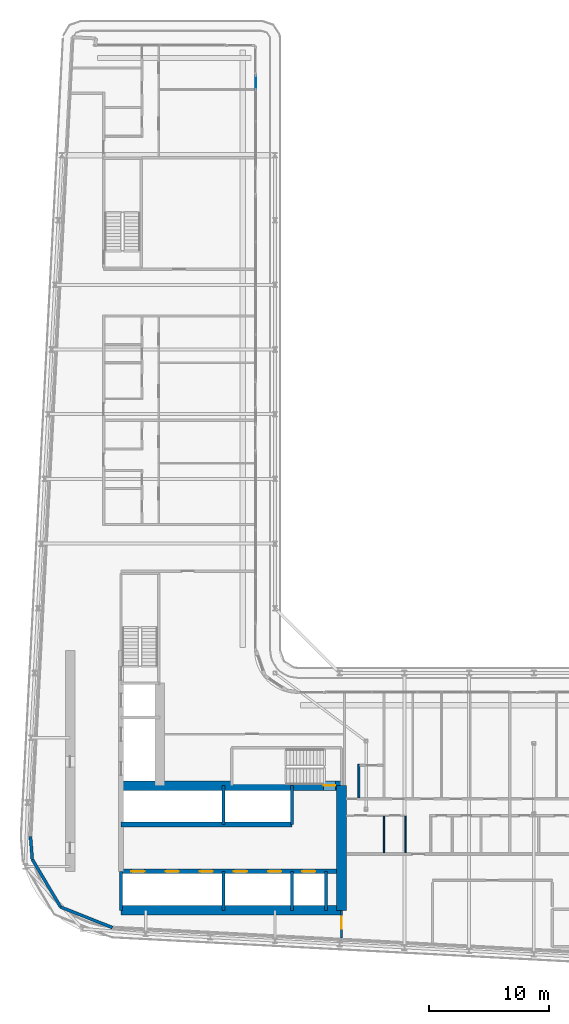
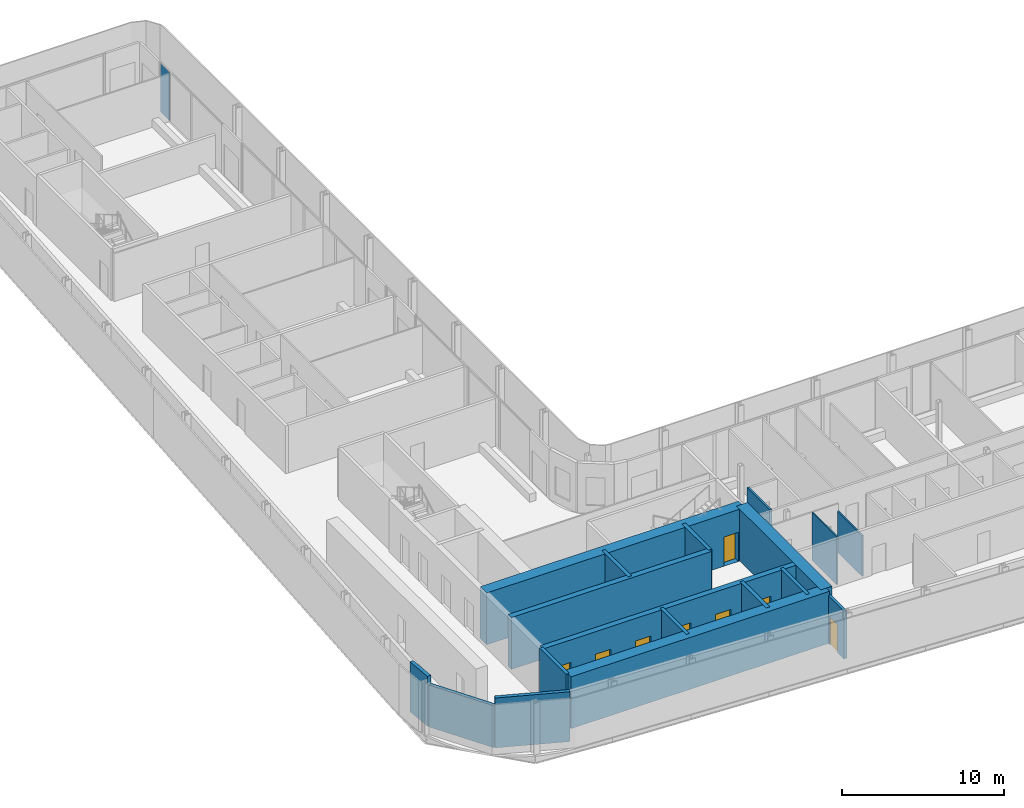
# One storey, part 15 of 30: 18 walls, 8 doors, 1 plate, 8 openings, 1 element without a shape of its own.
"""IFC4 building model written with IfcOpenShell, lengths in metres."""

from ifc_helpers import new_model, si_unit, direction, frame, frame_2d, origin, origin_2d, place, context, subcontext, project, spatial, rectangle, extrude, source, transform, mapped, material, layer, layer_set, type_object, element, fill, aggregate, save


model = new_model("IFC4")

# Units and contexts
model_context = context("Model", 3, precision=1e-05, world=origin(), true_north=direction((0.0, 1.0)))
body_context = subcontext(model_context, "Body", "Model", "MODEL_VIEW")
ifc_project = project(units=[si_unit("LENGTHUNIT", "METRE"), si_unit("AREAUNIT", "SQUARE_METRE"), si_unit("VOLUMEUNIT", "CUBIC_METRE"), si_unit("PLANEANGLEUNIT", "RADIAN"), si_unit("MASSUNIT", "GRAM", prefix="KILO")], contexts=[model_context])

# Site, building, storey
site_placement = place(None, origin())
site = spatial("IfcSite", under=ifc_project, at=site_placement, CompositionType="ELEMENT")
building_placement = place(site_placement, origin())
building = spatial("IfcBuilding", under=site, at=building_placement, Name="Kheshtan School and Residences Tower", CompositionType="ELEMENT")
storey_placement = place(building_placement, frame((0.0, 0.0, 195.5)))
storey = spatial("IfcBuildingStorey", under=building, at=storey_placement, Name="L46", CompositionType="ELEMENT", Elevation=195.5)

# Curtain wall, plate
ifc_material_1 = material(Name="Clear low-e glass in thermally broken aluminium frame", Category="aluminium")
ifc_layer_1 = layer(ifc_material_1, 0.199951171875)
ifc_layer_set_1 = layer_set([ifc_layer_1], Name="Curtain wall CW-L")
curtain_wall_type = type_object("IfcCurtainWallType", Name="Curtain wall CW-L", PredefinedType="NOTDEFINED", material=ifc_layer_set_1)
curtain_wall_placement = place(storey_placement, origin())
curtain_wall = element("IfcCurtainWall", 1, at=curtain_wall_placement, inside=storey, type_object=curtain_wall_type, Name="Curtain wall CWL8c", PredefinedType="NOTDEFINED")
ifc_layer_2 = layer(ifc_material_1, 0.031982421875)
ifc_layer_set_2 = layer_set([ifc_layer_2], Name="CW-L glass panel")
plate_type = type_object("IfcPlateType", Name="CW-L glass panel", PredefinedType="CURTAIN_PANEL", material=ifc_layer_set_2)
plate_placement = place(storey_placement, frame((46.0, 94.885009765625, 0.0), z_axis=(0.0, 0.0, 1.0), x_axis=(0.0, -1.0, 0.0)))
plate = element("IfcPlate", 2, at=plate_placement, type_object=plate_type, Name="CWL8c panel 1.1", PredefinedType="CURTAIN_PANEL", context=body_context, shape_type="SweptSolid", body=[
    extrude(rectangle(XDim=1.110107421875, YDim=0.031982421875, at=origin_2d()), origin(), (0.0, 0.0, 1.0), 3.6298828125),
])
aggregate(curtain_wall, [plate])

# Wall, openings, doors
ifc_material_2 = material(Name="Concrete C50/60", Category="concrete")
ifc_layer_3 = layer(ifc_material_2, 0.39990234375)
ifc_layer_set_3 = layer_set([ifc_layer_3], Name="Core wall 400 Concrete C50/60")
wall_type_1 = type_object("IfcWallType", Name="Core wall 400 Concrete C50/60", PredefinedType="SHEAR", material=ifc_layer_set_3)
wall_1_placement = place(storey_placement, frame((34.75, 29.050048828125, 0.0), z_axis=(0.0, 0.0, 1.0), x_axis=(1.0, 0.0, 0.0)))
wall_1 = element("IfcWall", 3, at=wall_1_placement, inside=storey, type_object=wall_type_1, Name="Core wall CW-HALL-S1", PredefinedType="SHEAR", context=body_context, shape_type="SweptSolid", body=[
    extrude(rectangle(XDim=18.39990234375, YDim=0.39990234375, at=frame_2d((9.199951171875, 0.0))), origin(), (0.0, 0.0, 1.0), 3.89990234375),
])
opening_1_placement = place(wall_1_placement, frame((0.875, 0.0, 0.0)))
opening_1 = element("IfcOpeningElement", 4, at=opening_1_placement, cuts=wall_1, Name="Opening LD", PredefinedType="OPENING", context=body_context, shape_type="SweptSolid", body=[
    extrude(rectangle(XDim=1.10009765625, YDim=2.199951171875, at=frame_2d((0.550048828125, 1.10009765625))), frame((0.0, 0.2099609375, 0.0), z_axis=(0.0, -1.0, 0.0), x_axis=(1.0, 0.0, 0.0)), (0.0, 0.0, 1.0), 0.419921875),
])
opening_2_placement = place(wall_1_placement, frame((3.72509765625, 0.0, 0.0)))
opening_2 = element("IfcOpeningElement", 5, at=opening_2_placement, cuts=wall_1, Name="Opening LD", PredefinedType="OPENING", context=body_context, shape_type="SweptSolid", body=[
    extrude(rectangle(XDim=1.10009765625, YDim=2.199951171875, at=frame_2d((0.550048828125, 1.10009765625))), frame((0.0, 0.2099609375, 0.0), z_axis=(0.0, -1.0, 0.0), x_axis=(1.0, 0.0, 0.0)), (0.0, 0.0, 1.0), 0.419921875),
])
opening_3_placement = place(wall_1_placement, frame((6.574951171875, 0.0, 0.0)))
opening_3 = element("IfcOpeningElement", 6, at=opening_3_placement, cuts=wall_1, Name="Opening LD", PredefinedType="OPENING", context=body_context, shape_type="SweptSolid", body=[
    extrude(rectangle(XDim=1.10009765625, YDim=2.199951171875, at=frame_2d((0.550048828125, 1.10009765625))), frame((0.0, 0.2099609375, 0.0), z_axis=(0.0, -1.0, 0.0), x_axis=(1.0, 0.0, 0.0)), (0.0, 0.0, 1.0), 0.419921875),
])
opening_4_placement = place(wall_1_placement, frame((9.425048828125, 0.0, 0.0)))
opening_4 = element("IfcOpeningElement", 7, at=opening_4_placement, cuts=wall_1, Name="Opening LD", PredefinedType="OPENING", context=body_context, shape_type="SweptSolid", body=[
    extrude(rectangle(XDim=1.10009765625, YDim=2.199951171875, at=frame_2d((0.550048828125, 1.10009765625))), frame((0.0, 0.2099609375, 0.0), z_axis=(0.0, -1.0, 0.0), x_axis=(1.0, 0.0, 0.0)), (0.0, 0.0, 1.0), 0.419921875),
])
opening_5_placement = place(wall_1_placement, frame((12.27490234375, 0.0, 0.0)))
opening_5 = element("IfcOpeningElement", 8, at=opening_5_placement, cuts=wall_1, Name="Opening LD", PredefinedType="OPENING", context=body_context, shape_type="SweptSolid", body=[
    extrude(rectangle(XDim=1.10009765625, YDim=2.199951171875, at=frame_2d((0.550048828125, 1.10009765625))), frame((0.0, 0.2099609375, 0.0), z_axis=(0.0, -1.0, 0.0), x_axis=(1.0, 0.0, 0.0)), (0.0, 0.0, 1.0), 0.419921875),
])
opening_6_placement = place(wall_1_placement, frame((15.125, 0.0, 0.0)))
opening_6 = element("IfcOpeningElement", 9, at=opening_6_placement, cuts=wall_1, Name="Opening LD", PredefinedType="OPENING", context=body_context, shape_type="SweptSolid", body=[
    extrude(rectangle(XDim=1.10009765625, YDim=2.199951171875, at=frame_2d((0.550048828125, 1.10009765625))), frame((0.0, 0.2099609375, 0.0), z_axis=(0.0, -1.0, 0.0), x_axis=(1.0, 0.0, 0.0)), (0.0, 0.0, 1.0), 0.419921875),
])
ifc_material_3 = material(Name="Stainless steel door leaves", Category="steel")
door_type_1 = type_object("IfcDoorType", Name="Lift landing door 1100", OperationType="SLIDING_TO_LEFT", PredefinedType="DOOR", material=ifc_material_3)
shared_shape_1 = source(origin(), body_context, "Body", "SweptSolid", [
    extrude(rectangle(XDim=1.10009765625, YDim=2.199951171875, at=frame_2d((0.550048828125, 1.10009765625))), frame((0.0, 0.02490234375, 0.0), z_axis=(0.0, -1.0, 0.0), x_axis=(1.0, 0.0, 0.0)), (0.0, 0.0, 1.0), 0.050048828125),
])
door_1_placement = place(opening_1_placement, origin())
door_1 = element("IfcDoor", 10, at=door_1_placement, inside=storey, type_object=door_type_1, Name="Lift P7 landing door", OperationType="SLIDING_TO_LEFT", OverallHeight=2.199951171875, OverallWidth=1.10009765625, PredefinedType="DOOR", context=body_context, shape_type="MappedRepresentation", body=[
    mapped(shared_shape_1, transform((0.0, 0.0, 0.0), x_axis=(1.0, 0.0, 0.0), y_axis=(0.0, 1.0, 0.0), z_axis=(0.0, 0.0, 1.0), scale=1.0)),
])
fill(opening_1, door_1)
door_2_placement = place(opening_2_placement, origin())
door_2 = element("IfcDoor", 11, at=door_2_placement, inside=storey, type_object=door_type_1, Name="Lift P8 landing door", OperationType="SLIDING_TO_LEFT", OverallHeight=2.199951171875, OverallWidth=1.10009765625, PredefinedType="DOOR", context=body_context, shape_type="MappedRepresentation", body=[
    mapped(shared_shape_1, transform((0.0, 0.0, 0.0), x_axis=(1.0, 0.0, 0.0), y_axis=(0.0, 1.0, 0.0), z_axis=(0.0, 0.0, 1.0), scale=1.0)),
])
fill(opening_2, door_2)
door_3_placement = place(opening_3_placement, origin())
door_3 = element("IfcDoor", 12, at=door_3_placement, inside=storey, type_object=door_type_1, Name="Lift P9 landing door", OperationType="SLIDING_TO_LEFT", OverallHeight=2.199951171875, OverallWidth=1.10009765625, PredefinedType="DOOR", context=body_context, shape_type="MappedRepresentation", body=[
    mapped(shared_shape_1, transform((0.0, 0.0, 0.0), x_axis=(1.0, 0.0, 0.0), y_axis=(0.0, 1.0, 0.0), z_axis=(0.0, 0.0, 1.0), scale=1.0)),
])
fill(opening_3, door_3)
door_4_placement = place(opening_4_placement, origin())
door_4 = element("IfcDoor", 13, at=door_4_placement, inside=storey, type_object=door_type_1, Name="Lift P10 landing door", OperationType="SLIDING_TO_LEFT", OverallHeight=2.199951171875, OverallWidth=1.10009765625, PredefinedType="DOOR", context=body_context, shape_type="MappedRepresentation", body=[
    mapped(shared_shape_1, transform((0.0, 0.0, 0.0), x_axis=(1.0, 0.0, 0.0), y_axis=(0.0, 1.0, 0.0), z_axis=(0.0, 0.0, 1.0), scale=1.0)),
])
fill(opening_4, door_4)
door_5_placement = place(opening_5_placement, origin())
door_5 = element("IfcDoor", 14, at=door_5_placement, inside=storey, type_object=door_type_1, Name="Lift P11 landing door", OperationType="SLIDING_TO_LEFT", OverallHeight=2.199951171875, OverallWidth=1.10009765625, PredefinedType="DOOR", context=body_context, shape_type="MappedRepresentation", body=[
    mapped(shared_shape_1, transform((0.0, 0.0, 0.0), x_axis=(1.0, 0.0, 0.0), y_axis=(0.0, 1.0, 0.0), z_axis=(0.0, 0.0, 1.0), scale=1.0)),
])
fill(opening_5, door_5)
door_6_placement = place(opening_6_placement, origin())
door_6 = element("IfcDoor", 15, at=door_6_placement, inside=storey, type_object=door_type_1, Name="Lift FFL2 landing door", OperationType="SLIDING_TO_LEFT", OverallHeight=2.199951171875, OverallWidth=1.10009765625, PredefinedType="DOOR", context=body_context, shape_type="MappedRepresentation", body=[
    mapped(shared_shape_1, transform((0.0, 0.0, 0.0), x_axis=(1.0, 0.0, 0.0), y_axis=(0.0, 1.0, 0.0), z_axis=(0.0, 0.0, 1.0), scale=1.0)),
])
fill(opening_6, door_6)

# Walls
wall_2_placement = place(storey_placement, frame((34.75, 32.949951171875, 0.0), z_axis=(0.0, 0.0, 1.0), x_axis=(1.0, 0.0, 0.0)))
element("IfcWall", 16, at=wall_2_placement, inside=storey, type_object=wall_type_1, Name="Core wall CW-HALL-S2", PredefinedType="SHEAR", context=body_context, shape_type="SweptSolid", body=[
    extrude(rectangle(XDim=14.25, YDim=0.39990234375, at=frame_2d((7.125, 0.0))), origin(), (0.0, 0.0, 1.0), 3.89990234375),
])
ifc_material_4 = material(Name="Concrete C70/85", Category="concrete")
ifc_layer_4 = layer(ifc_material_4, 0.800048828125)
ifc_layer_set_4 = layer_set([ifc_layer_4], Name="Core wall 800 Concrete C70/85")
wall_type_2 = type_object("IfcWallType", Name="Core wall 800 Concrete C70/85", PredefinedType="SHEAR", material=ifc_layer_set_4)
wall_3_placement = place(storey_placement, frame((34.75, 25.800048828125, 0.0), z_axis=(0.0, 0.0, 1.0), x_axis=(1.0, 0.0, 0.0)))
element("IfcWall", 17, at=wall_3_placement, inside=storey, type_object=wall_type_2, Name="Core wall CW-REAR-S", PredefinedType="SHEAR", context=body_context, shape_type="SweptSolid", body=[
    extrude(rectangle(XDim=18.39990234375, YDim=0.800048828125, at=frame_2d((9.199951171875, 0.0))), origin(), (0.0, 0.0, 1.0), 3.89990234375),
])

# Wall, opening, door
wall_4_placement = place(storey_placement, frame((34.75, 36.199951171875, 0.0), z_axis=(0.0, 0.0, 1.0), x_axis=(1.0, 0.0, 0.0)))
wall_4 = element("IfcWall", 18, at=wall_4_placement, inside=storey, type_object=wall_type_2, Name="Core wall CW-FRONT-S", PredefinedType="SHEAR", context=body_context, shape_type="SweptSolid", body=[
    extrude(rectangle(XDim=18.39990234375, YDim=0.800048828125, at=frame_2d((9.199951171875, 0.0))), origin(), (0.0, 0.0, 1.0), 3.89990234375),
])
opening_7_placement = place(wall_4_placement, frame((16.89990234375, 0.0, 0.0)))
opening_7 = element("IfcOpeningElement", 19, at=opening_7_placement, cuts=wall_4, Name="Opening ST1D", PredefinedType="OPENING", context=body_context, shape_type="SweptSolid", body=[
    extrude(rectangle(XDim=1.0, YDim=2.199951171875, at=frame_2d((0.5, 1.10009765625))), frame((0.0, 0.41015625, 0.0), z_axis=(0.0, -1.0, 0.0), x_axis=(1.0, 0.0, 0.0)), (0.0, 0.0, 1.0), 0.820068359375),
])
ifc_material_5 = material(Name="Steel door leaf, galvanised", Category="steel")
door_type_2 = type_object("IfcDoorType", Name="Stair door 1100 steel 90 min", OperationType="SINGLE_SWING_LEFT", PredefinedType="DOOR", material=ifc_material_5)
shared_shape_2 = source(origin(), body_context, "Body", "SweptSolid", [
    extrude(rectangle(XDim=1.0, YDim=2.199951171875, at=frame_2d((0.5, 1.10009765625))), frame((0.0, 0.02490234375, 0.0), z_axis=(0.0, -1.0, 0.0), x_axis=(1.0, 0.0, 0.0)), (0.0, 0.0, 1.0), 0.050048828125),
])
door_7_placement = place(opening_7_placement, origin())
door_7 = element("IfcDoor", 20, at=door_7_placement, inside=storey, type_object=door_type_2, Name="Stair ST1 door", OperationType="SINGLE_SWING_RIGHT", OverallHeight=2.199951171875, OverallWidth=1.0, PredefinedType="DOOR", context=body_context, shape_type="MappedRepresentation", body=[
    mapped(shared_shape_2, transform((0.0, 0.0, 0.0), x_axis=(1.0, 0.0, 0.0), y_axis=(0.0, 1.0, 0.0), z_axis=(0.0, 0.0, 1.0), scale=1.0)),
])
fill(opening_7, door_7)

# Wall
wall_5_placement = place(storey_placement, frame((53.14990234375, 25.800048828125, 0.0), z_axis=(0.0, 0.0, 1.0), x_axis=(0.0, 1.0, 0.0)))
element("IfcWall", 21, at=wall_5_placement, inside=storey, type_object=wall_type_2, Name="Core wall CW-EAST", PredefinedType="SHEAR", context=body_context, shape_type="SweptSolid", body=[
    extrude(rectangle(XDim=10.39990234375, YDim=0.800048828125, at=frame_2d((5.199951171875, 0.0))), origin(), (0.0, 0.0, 1.0), 3.89990234375),
])

# Wall, opening, door
ifc_material_6 = material(Name="Gypsum board on steel studs with fire boards", Category="steel")
ifc_layer_5 = layer(ifc_material_6, 0.199951171875)
ifc_layer_set_5 = layer_set([ifc_layer_5], Name="Corridor wall 200")
wall_type_3 = type_object("IfcWallType", Name="Corridor wall 200", PredefinedType="PARTITIONING", material=ifc_layer_set_5)
wall_6_placement = place(storey_placement, frame((53.14990234375, 23.47216796875, 0.0), z_axis=(0.0, 0.0, 1.0), x_axis=(0.0, 1.0, 0.0)))
wall_6 = element("IfcWall", 22, at=wall_6_placement, inside=storey, type_object=wall_type_3, Name="Partition L46-030", PredefinedType="PARTITIONING", context=body_context, shape_type="SweptSolid", body=[
    extrude(rectangle(XDim=2.327880859375, YDim=0.199951171875, at=frame_2d((1.1640625, 0.0))), origin(), (0.0, 0.0, 1.0), 3.60009765625),
])
opening_8_placement = place(wall_6_placement, frame((0.784912109375, 0.0, 0.0)))
opening_8 = element("IfcOpeningElement", 23, at=opening_8_placement, cuts=wall_6, Name="Opening D46-055", PredefinedType="OPENING", context=body_context, shape_type="SweptSolid", body=[
    extrude(rectangle(XDim=1.0, YDim=2.10009765625, at=frame_2d((0.5, 1.050048828125))), frame((0.0, 0.10986328125, 0.0), z_axis=(0.0, -1.0, 0.0), x_axis=(1.0, 0.0, 0.0)), (0.0, 0.0, 1.0), 0.219970703125),
])
ifc_material_7 = material(Name="Steel-framed fire-resisting door leaf", Category="steel")
door_type_3 = type_object("IfcDoorType", Name="Fire door FD60 1000 x 2100", OperationType="SINGLE_SWING_LEFT", PredefinedType="DOOR", material=ifc_material_7)
shared_shape_3 = source(origin(), body_context, "Body", "SweptSolid", [
    extrude(rectangle(XDim=1.0, YDim=2.10009765625, at=frame_2d((0.5, 1.050048828125))), frame((0.0, 0.02490234375, 0.0), z_axis=(0.0, -1.0, 0.0), x_axis=(1.0, 0.0, 0.0)), (0.0, 0.0, 1.0), 0.050048828125),
])
door_8_placement = place(opening_8_placement, origin())
door_8 = element("IfcDoor", 24, at=door_8_placement, inside=storey, type_object=door_type_3, Name="Door D46-055", OperationType="SINGLE_SWING_RIGHT", OverallHeight=2.10009765625, OverallWidth=1.0, PredefinedType="DOOR", context=body_context, shape_type="MappedRepresentation", body=[
    mapped(shared_shape_3, transform((0.0, 0.0, 0.0), x_axis=(1.0, 0.0, 0.0), y_axis=(0.0, 1.0, 0.0), z_axis=(0.0, 0.0, 1.0), scale=1.0)),
])
fill(opening_8, door_8)

# Walls
ifc_material_8 = material(Name="Concrete C40/50 with ceramic cladding and mineral wool insulation", Category="concrete")
ifc_layer_6 = layer(ifc_material_8, 0.25)
ifc_layer_set_6 = layer_set([ifc_layer_6], Name="External wall 250 ceramic clad")
wall_type_4 = type_object("IfcWallType", Name="External wall 250 ceramic clad", PredefinedType="SOLIDWALL", material=ifc_layer_set_6)
wall_7_placement = place(storey_placement, frame((34.0390625, 24.35302734375, 0.0), z_axis=(0.0, 0.0, 1.0), x_axis=(-0.929352825399, 0.369192803184, 0.0)))
element("IfcWall", 25, at=wall_7_placement, inside=storey, type_object=wall_type_4, Name="External wall L46 1", PredefinedType="SOLIDWALL", context=body_context, shape_type="SweptSolid", body=[
    extrude(rectangle(XDim=4.656005859375, YDim=0.25, at=frame_2d((2.328125, 0.0))), origin(), (0.0, 0.0, 1.0), 3.75),
])
wall_8_placement = place(storey_placement, frame((29.7119140625, 26.072021484375, 0.0), z_axis=(0.0, 0.0, 1.0), x_axis=(-0.511028049012, 0.859564036662, 0.0)))
element("IfcWall", 26, at=wall_8_placement, inside=storey, type_object=wall_type_4, Name="External wall L46 2", PredefinedType="SOLIDWALL", context=body_context, shape_type="SweptSolid", body=[
    extrude(rectangle(XDim=4.633544921875, YDim=0.25, at=frame_2d((2.31689453125, 0.0))), origin(), (0.0, 0.0, 1.0), 3.14697265625),
])
wall_9_placement = place(storey_placement, frame((27.343994140625, 30.054931640625, 0.0), z_axis=(0.0, 0.0, 1.0), x_axis=(-0.077571675317, 0.99698677784, 0.0)))
element("IfcWall", 27, at=wall_9_placement, inside=storey, type_object=wall_type_4, Name="External wall L46 3", PredefinedType="SOLIDWALL", context=body_context, shape_type="SweptSolid", body=[
    extrude(rectangle(XDim=1.919921875, YDim=0.25, at=frame_2d((0.9599609375, 0.0))), origin(), (0.0, 0.0, 1.0), 3.75),
])
ifc_material_9 = material(Name="Gypsum board on steel studs", Category="steel")
ifc_layer_7 = layer(ifc_material_9, 0.10009765625)
ifc_layer_set_7 = layer_set([ifc_layer_7], Name="Gypsum partition 100")
wall_type_5 = type_object("IfcWallType", Name="Gypsum partition 100", PredefinedType="PARTITIONING", material=ifc_layer_set_7)
wall_10_placement = place(storey_placement, frame((56.699951171875, 30.60009765625, 0.0), z_axis=(0.0, 0.0, 1.0), x_axis=(0.0, 1.0, 0.0)))
element("IfcWall", 28, at=wall_10_placement, inside=storey, type_object=wall_type_5, Name="Partition L46-037", PredefinedType="PARTITIONING", context=body_context, shape_type="SweptSolid", body=[
    extrude(rectangle(XDim=3.0498046875, YDim=0.10009765625, at=frame_2d((1.52490234375, 0.0))), origin(), (0.0, 0.0, 1.0), 3.60009765625),
])
wall_11_placement = place(storey_placement, frame((58.5, 30.60009765625, 0.0), z_axis=(0.0, 0.0, 1.0), x_axis=(0.0, 1.0, 0.0)))
element("IfcWall", 29, at=wall_11_placement, inside=storey, type_object=wall_type_5, Name="Partition L46-039", PredefinedType="PARTITIONING", context=body_context, shape_type="SweptSolid", body=[
    extrude(rectangle(XDim=3.0498046875, YDim=0.10009765625, at=frame_2d((1.52490234375, 0.0))), origin(), (0.0, 0.0, 1.0), 3.072021484375),
])
ifc_material_10 = material(Name="Fire-board shaft wall system")
ifc_layer_8 = layer(ifc_material_10, 0.25)
ifc_layer_set_8 = layer_set([ifc_layer_8], Name="Shaft lining wall 250")
wall_type_6 = type_object("IfcWallType", Name="Shaft lining wall 250", PredefinedType="PARTITIONING", material=ifc_layer_set_8)
for number, where, z_axis, x_axis, name in (
    (30, (34.75, 25.800048828125, 0.0), (0.0, 0.0, 1.0), (0.0, 1.0, 0.0), "Shaft lining wall"),
    (31, (43.300048828125, 25.800048828125, 0.0), (0.0, 0.0, 1.0), (0.0, 1.0, 0.0), "Shaft lining wall"),
    (32, (43.300048828125, 32.949951171875, 0.0), (0.0, 0.0, 1.0), (0.0, 1.0, 0.0), "Shaft lining wall"),
    (33, (49.0, 25.800048828125, 0.0), (0.0, 0.0, 1.0), (0.0, 1.0, 0.0), "Shaft lining wall"),
    (34, (49.0, 32.949951171875, 0.0), (0.0, 0.0, 1.0), (0.0, 1.0, 0.0), "Shaft lining wall"),
    (35, (51.85009765625, 25.800048828125, 0.0), (0.0, 0.0, 1.0), (0.0, 1.0, 0.0), "Shaft lining wall"),
):
    element("IfcWall", number, at=place(storey_placement, frame(where, z_axis=z_axis, x_axis=x_axis)), inside=storey, type_object=wall_type_6, Name=name, PredefinedType="PARTITIONING", context=body_context, shape_type="SweptSolid", body=[
        extrude(rectangle(XDim=3.25, YDim=0.25, at=frame_2d((1.625, 0.0))), origin(), (0.0, 0.0, 1.0), 3.89990234375),
    ])
ifc_material_11 = material(Name="Moisture-resistant gypsum board on steel studs", Category="steel")
ifc_layer_9 = layer(ifc_material_11, 0.14990234375)
ifc_layer_set_9 = layer_set([ifc_layer_9], Name="Wet-room partition 150")
wall_type_7 = type_object("IfcWallType", Name="Wet-room partition 150", PredefinedType="PARTITIONING", material=ifc_layer_set_9)
wall_12_placement = place(storey_placement, frame((54.60009765625, 35.175048828125, 0.0), z_axis=(0.0, 0.0, 1.0), x_axis=(0.0, 1.0, 0.0)))
element("IfcWall", 36, at=wall_12_placement, inside=storey, type_object=wall_type_7, Name="Partition L46-035", PredefinedType="PARTITIONING", context=body_context, shape_type="SweptSolid", body=[
    extrude(rectangle(XDim=2.800048828125, YDim=0.14990234375, at=frame_2d((1.39990234375, 0.0))), origin(), (0.0, 0.0, 1.0), 3.60009765625),
])

save(model, "model.ifc")
